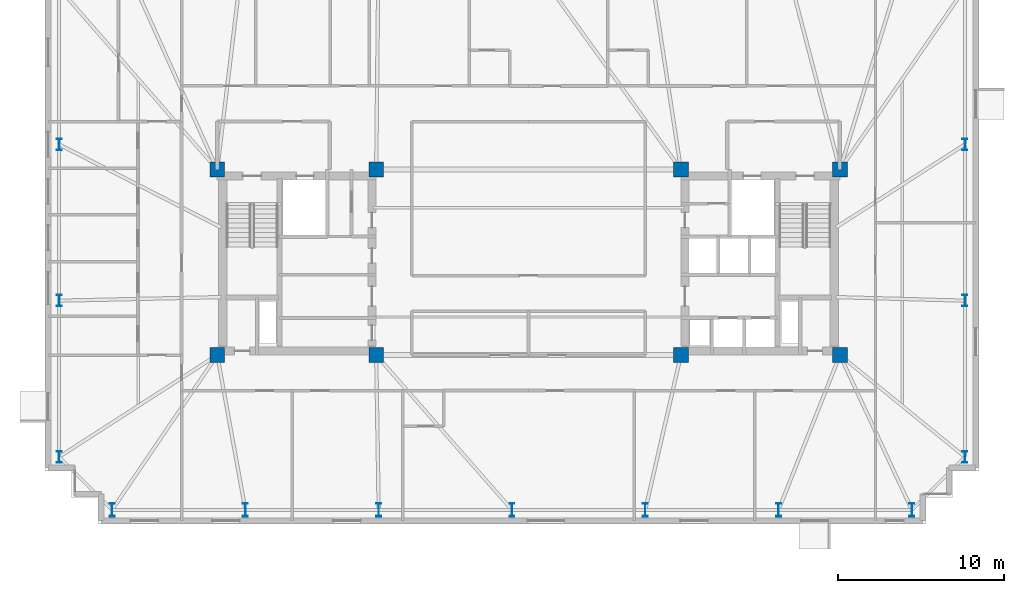
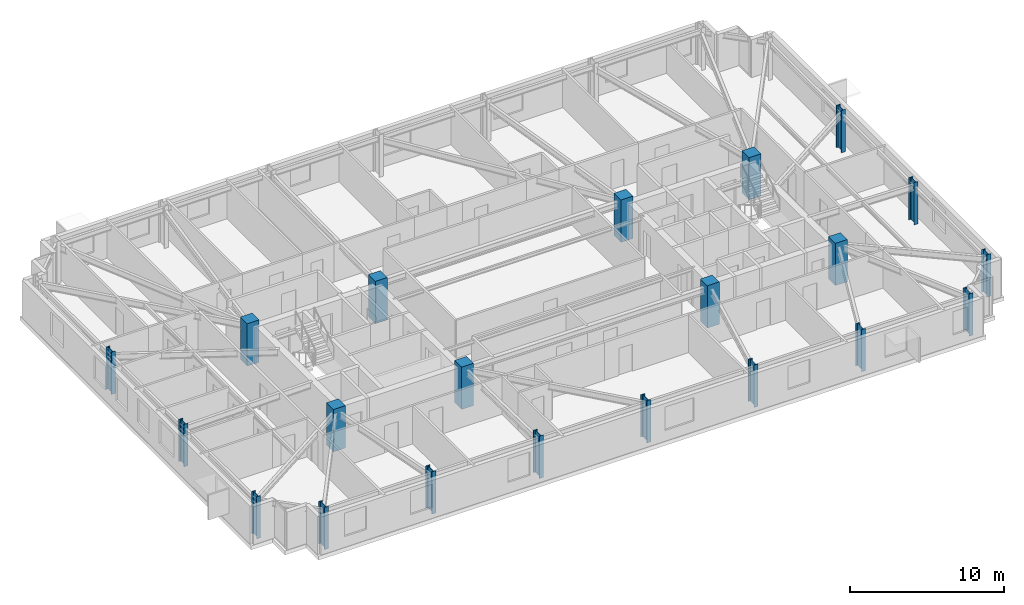
# One storey, part 1 of 17: 21 columns.
"""IFC4 building model written with IfcOpenShell, lengths in metres."""

from ifc_helpers import new_model, si_unit, direction, frame, origin, origin_2d, place, context, subcontext, project, spatial, rectangle, i_section, extrude, material, material_profile, profile_set, type_object, element, save


model = new_model("IFC4")

# Units and contexts
model_context = context("Model", 3, precision=1e-05, world=origin(), true_north=direction((0.0, 1.0)))
body_context = subcontext(model_context, "Body", "Model", "MODEL_VIEW")
ifc_project = project(units=[si_unit("LENGTHUNIT", "METRE"), si_unit("AREAUNIT", "SQUARE_METRE"), si_unit("VOLUMEUNIT", "CUBIC_METRE"), si_unit("PLANEANGLEUNIT", "RADIAN"), si_unit("MASSUNIT", "GRAM", prefix="KILO")], contexts=[model_context])

# Site, building, storey
site_placement = place(None, origin())
site = spatial("IfcSite", under=ifc_project, at=site_placement, CompositionType="ELEMENT")
building_placement = place(site_placement, origin())
building = spatial("IfcBuilding", under=site, at=building_placement, Name="Qobustan Lattice House", CompositionType="ELEMENT")
storey_placement = place(building_placement, frame((0.0, 0.0, 171.199951171875)))
storey = spatial("IfcBuildingStorey", under=building, at=storey_placement, Name="L48", CompositionType="ELEMENT", Elevation=171.199951171875)

# Columns
ifc_material_1 = material(Name="Concrete C50/60", Category="concrete")
ifc_material_profile_1 = material_profile(ifc_material_1, rectangle(XDim=0.89990234375, YDim=0.89990234375, at=origin_2d()), Name="RC900x900")
ifc_profile_set_1 = profile_set([ifc_material_profile_1], Name="Concrete C50/60")
column_type_1 = type_object("IfcColumnType", Name="COL-RC-900", PredefinedType="COLUMN", material=ifc_profile_set_1)
for number, where, z_axis, x_axis, name in (
    (1, (-18.800048828125, -5.60009765625, 0.0), (0.0, 0.0, 1.0), (1.0, 0.0, 0.0), "L48 core mega-column CW-SW"),
    (2, (-18.800048828125, 5.60009765625, 0.0), (0.0, 0.0, 1.0), (1.0, 0.0, 0.0), "L48 core mega-column CW-NW"),
    (3, (-9.199951171875, -5.60009765625, 0.0), (0.0, 0.0, 1.0), (1.0, 0.0, 0.0), "L48 core mega-column CW-SE"),
    (4, (-9.199951171875, 5.60009765625, 0.0), (0.0, 0.0, 1.0), (1.0, 0.0, 0.0), "L48 core mega-column CW-NE"),
    (5, (9.199951171875, -5.60009765625, 0.0), (0.0, 0.0, 1.0), (1.0, 0.0, 0.0), "L48 core mega-column CE-SW"),
    (6, (9.199951171875, 5.60009765625, 0.0), (0.0, 0.0, 1.0), (1.0, 0.0, 0.0), "L48 core mega-column CE-NW"),
    (7, (18.800048828125, -5.60009765625, 0.0), (0.0, 0.0, 1.0), (1.0, 0.0, 0.0), "L48 core mega-column CE-SE"),
    (8, (18.800048828125, 5.60009765625, 0.0), (0.0, 0.0, 1.0), (1.0, 0.0, 0.0), "L48 core mega-column CE-NE"),
):
    element("IfcColumn", number, at=place(storey_placement, frame(where, z_axis=z_axis, x_axis=x_axis)), inside=storey, type_object=column_type_1, Name=name, PredefinedType="COLUMN", context=body_context, shape_type="SweptSolid", body=[
        extrude(rectangle(XDim=0.89990234375, YDim=0.89990234375, at=origin_2d()), origin(), (0.0, 0.0, 1.0), 3.35009765625),
    ])
ifc_material_2 = material(Name="Steel S355", Category="steel")
ifc_material_profile_2 = material_profile(ifc_material_2, i_section(OverallWidth=0.300048828125, OverallDepth=0.699951171875, WebThickness=0.01708984375, FlangeThickness=0.031982421875, FilletRadius=0.027099609375, at=origin_2d()), Name="HEB700")
ifc_profile_set_2 = profile_set([ifc_material_profile_2], Name="Steel S355")
column_type_2 = type_object("IfcColumnType", Name="COL-ST-HEB700", PredefinedType="COLUMN", material=ifc_profile_set_2)
for number, where, z_axis, x_axis, name in (
    (9, (26.35009765625, -11.75, 0.0), (0.0, 0.0, 1.0), (1.0, 0.0, 0.0), "L48 B3 perimeter column E1"),
    (10, (26.35009765625, -2.316650390625, 0.0), (0.0, 0.0, 1.0), (1.0, 0.0, 0.0), "L48 B3 perimeter column E2"),
    (11, (26.35009765625, 7.11669921875, 0.0), (0.0, 0.0, 1.0), (1.0, 0.0, 0.0), "L48 B3 perimeter column E3"),
    (12, (-28.35009765625, 7.11669921875, 0.0), (0.0, 0.0, 1.0), (1.0, 0.0, 0.0), "L48 B3 perimeter column W2"),
    (13, (-28.35009765625, -2.316650390625, 0.0), (0.0, 0.0, 1.0), (1.0, 0.0, 0.0), "L48 B3 perimeter column W3"),
    (14, (-28.35009765625, -11.75, 0.0), (0.0, 0.0, 1.0), (1.0, 0.0, 0.0), "L48 B3 perimeter column W4"),
):
    element("IfcColumn", number, at=place(storey_placement, frame(where, z_axis=z_axis, x_axis=x_axis)), inside=storey, type_object=column_type_2, Name=name, PredefinedType="COLUMN", context=body_context, shape_type="SweptSolid", body=[
        extrude(i_section(OverallWidth=0.300048828125, OverallDepth=0.699951171875, WebThickness=0.01708984375, FlangeThickness=0.031982421875, FilletRadius=0.027099609375, at=origin_2d()), origin(), (0.0, 0.0, 1.0), 3.35009765625),
    ])
ifc_material_3 = material(Name="Steel S355", Category="steel")
ifc_material_profile_3 = material_profile(ifc_material_3, i_section(OverallWidth=0.300048828125, OverallDepth=0.800048828125, WebThickness=0.017578125, FlangeThickness=0.032958984375, FilletRadius=0.030029296875, at=origin_2d()), Name="HEB800")
ifc_profile_set_3 = profile_set([ifc_material_profile_3], Name="Steel S355")
column_type_3 = type_object("IfcColumnType", Name="COL-ST-HEB800", PredefinedType="COLUMN", material=ifc_profile_set_3)
for number, where, z_axis, x_axis, name in (
    (15, (-25.14990234375, -14.949951171875, 0.0), (0.0, 0.0, 1.0), (1.0, 0.0, 0.0), "L48 B3 perimeter column S1"),
    (16, (-17.10009765625, -14.949951171875, 0.0), (0.0, 0.0, 1.0), (1.0, 0.0, 0.0), "L48 B3 perimeter column S2"),
    (17, (-9.050048828125, -14.949951171875, 0.0), (0.0, 0.0, 1.0), (1.0, 0.0, 0.0), "L48 B3 perimeter column S3"),
    (18, (-1.0, -14.949951171875, 0.0), (0.0, 0.0, 1.0), (1.0, 0.0, 0.0), "L48 B3 perimeter column S4"),
    (19, (7.050048828125, -14.949951171875, 0.0), (0.0, 0.0, 1.0), (1.0, 0.0, 0.0), "L48 B3 perimeter column S5"),
    (20, (15.10009765625, -14.949951171875, 0.0), (0.0, 0.0, 1.0), (1.0, 0.0, 0.0), "L48 B3 perimeter column S6"),
    (21, (23.14990234375, -14.949951171875, 0.0), (0.0, 0.0, 1.0), (1.0, 0.0, 0.0), "L48 B3 perimeter column S7"),
):
    element("IfcColumn", number, at=place(storey_placement, frame(where, z_axis=z_axis, x_axis=x_axis)), inside=storey, type_object=column_type_3, Name=name, PredefinedType="COLUMN", context=body_context, shape_type="SweptSolid", body=[
        extrude(i_section(OverallWidth=0.300048828125, OverallDepth=0.800048828125, WebThickness=0.017578125, FlangeThickness=0.032958984375, FilletRadius=0.030029296875, at=origin_2d()), origin(), (0.0, 0.0, 1.0), 3.35009765625),
    ])

save(model, "model.ifc")
